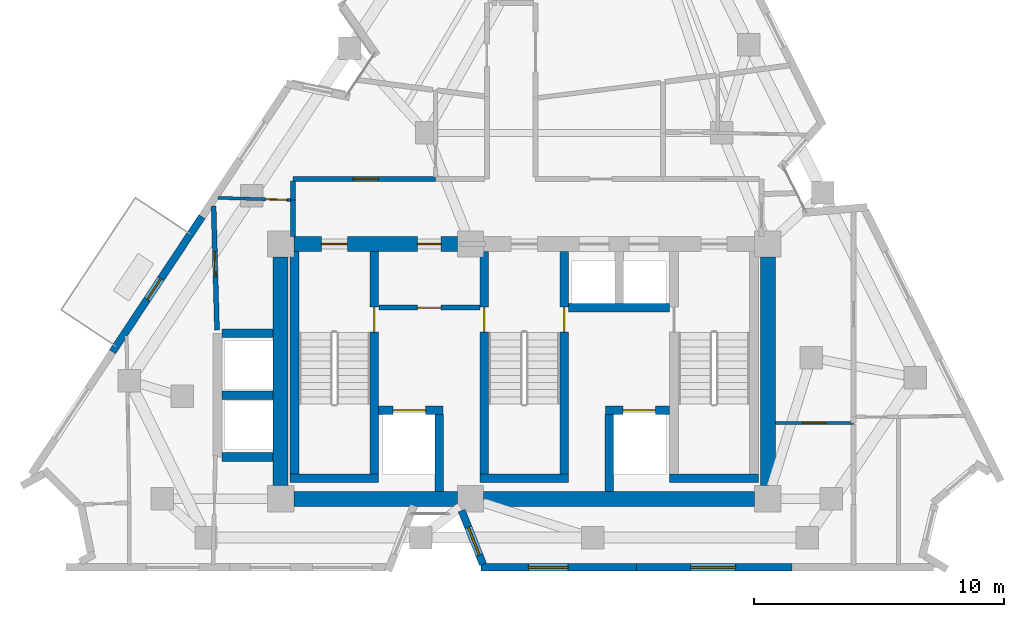
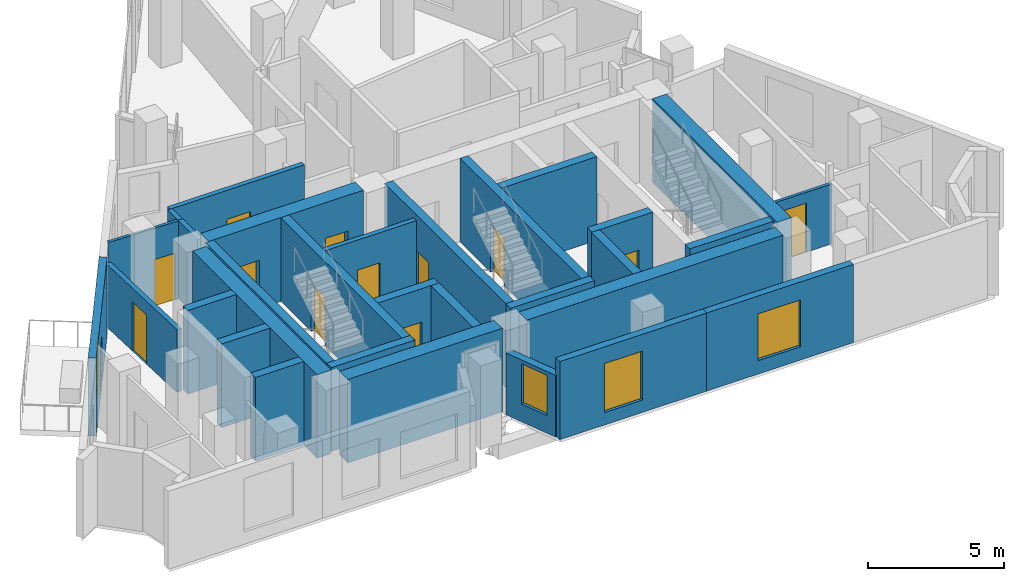
# One storey, part 5 of 10: 31 walls, 13 doors, 3 windows, 16 openings.
"""IFC4 building model written with IfcOpenShell, lengths in metres."""

from ifc_helpers import new_model, si_unit, direction, frame, frame_2d, origin, place, context, subcontext, project, spatial, rectangle, extrude, material, layer, layer_set, type_object, element, fill, save


model = new_model("IFC4")

# Units and contexts
model_context = context("Model", 3, precision=1e-05, world=origin(), true_north=direction((0.0, 1.0)))
body_context = subcontext(model_context, "Body", "Model", "MODEL_VIEW")
ifc_project = project(units=[si_unit("LENGTHUNIT", "METRE"), si_unit("AREAUNIT", "SQUARE_METRE"), si_unit("VOLUMEUNIT", "CUBIC_METRE"), si_unit("PLANEANGLEUNIT", "RADIAN"), si_unit("MASSUNIT", "GRAM", prefix="KILO")], contexts=[model_context])

# Site, building, storey
site_placement = place(None, origin())
site = spatial("IfcSite", under=ifc_project, at=site_placement, CompositionType="ELEMENT")
building_placement = place(site_placement, origin())
building = spatial("IfcBuilding", under=site, at=building_placement, Name="Almagre Mirador Tower", CompositionType="ELEMENT")
storey_placement = place(building_placement, frame((0.0, 0.0, 255.75)))
storey = spatial("IfcBuildingStorey", under=building, at=storey_placement, Name="L66", CompositionType="ELEMENT", Elevation=255.75)

# Wall, opening, window
ifc_material_1 = material(Name="Precast concrete C50/60", Category="concrete")
ifc_layer_1 = layer(ifc_material_1, 0.300048828125)
ifc_layer_set_1 = layer_set([ifc_layer_1], Name="Precast concrete C50/60")
wall_type_1 = type_object("IfcWallType", Name="WAL-EXT-300", PredefinedType="SOLIDWALL", material=ifc_layer_set_1)
wall_1_placement = place(storey_placement, frame((48.01318359375, 1.800048828125, 0.0), z_axis=(0.0, 0.0, 1.0), x_axis=(-1.0, 0.0, 0.0)))
wall_1 = element("IfcWall", 1, at=wall_1_placement, inside=storey, type_object=wall_type_1, Name="L66 expressed almagre precast frame wall 20", PredefinedType="SOLIDWALL", context=body_context, shape_type="SweptSolid", body=[
    extrude(rectangle(XDim=6.2265625, YDim=0.300048828125, at=frame_2d((3.11328125, 0.0))), origin(), (0.0, 0.0, 1.0), 3.5),
])
opening_1_placement = place(wall_1_placement, frame((2.25, 0.0, 0.60009765625)))
opening_1 = element("IfcOpeningElement", 2, at=opening_1_placement, cuts=wall_1, Name="Opening WN-01", PredefinedType="OPENING", context=body_context, shape_type="SweptSolid", body=[
    extrude(rectangle(XDim=1.800048828125, YDim=2.10009765625, at=frame_2d((0.89990234375, 1.050048828125))), frame((0.0, 0.159902, 0.0), z_axis=(0.0, -1.0, 0.0), x_axis=(1.0, 0.0, 0.0)), (0.0, 0.0, 1.0), 0.320049),
])
ifc_material_2 = material(Name="Dark solar-control laminated hurricane glass", Category="glass")
window_type_1 = type_object("IfcWindowType", Name="WIN-1800X2100", PartitioningType="DOUBLE_PANEL_VERTICAL", PredefinedType="WINDOW", material=ifc_material_2)
window_1_placement = place(opening_1_placement, origin())
window_1 = element("IfcWindow", 3, at=window_1_placement, inside=storey, type_object=window_type_1, Name="L66 recessed hurricane window L66-UC-BT", OverallHeight=2.10009765625, OverallWidth=1.800048828125, PartitioningType="SINGLE_PANEL", PredefinedType="WINDOW", context=body_context, shape_type="SweptSolid", body=[
    extrude(rectangle(XDim=1.800048828125, YDim=2.10009765625, at=frame_2d((0.89990234375, 1.050048828125))), frame((0.0, 0.030029296875, 0.0), z_axis=(0.0, -1.0, 0.0), x_axis=(1.0, 0.0, 0.0)), (0.0, 0.0, 1.0), 0.06005859375),
])
fill(opening_1, window_1)

wall_2_placement = place(storey_placement, frame((41.78662109375, 1.800048828125, 0.0), z_axis=(0.0, 0.0, 1.0), x_axis=(-1.0, 0.0, 0.0)))
wall_2 = element("IfcWall", 4, at=wall_2_placement, inside=storey, type_object=wall_type_1, Name="L66 expressed almagre precast frame wall 21", PredefinedType="SOLIDWALL", context=body_context, shape_type="SweptSolid", body=[
    extrude(rectangle(XDim=6.2265625, YDim=0.300048828125, at=frame_2d((3.11328125, 0.0))), origin(), (0.0, 0.0, 1.0), 3.5),
])
opening_2_placement = place(wall_2_placement, frame((2.72509765625, 0.0, 0.550048828125)))
opening_2 = element("IfcOpeningElement", 5, at=opening_2_placement, cuts=wall_2, Name="Opening WN-06", PredefinedType="OPENING", context=body_context, shape_type="SweptSolid", body=[
    extrude(rectangle(XDim=1.60009765625, YDim=2.199951171875, at=frame_2d((0.800048828125, 1.10009765625))), frame((0.0, 0.159902, 0.0), z_axis=(0.0, -1.0, 0.0), x_axis=(1.0, 0.0, 0.0)), (0.0, 0.0, 1.0), 0.320049),
])
ifc_material_3 = material(Name="Dark solar-control laminated hurricane glass", Category="glass")
window_type_2 = type_object("IfcWindowType", Name="WIN-1600X2200", PartitioningType="DOUBLE_PANEL_VERTICAL", PredefinedType="WINDOW", material=ifc_material_3)
window_2_placement = place(opening_2_placement, origin())
window_2 = element("IfcWindow", 6, at=window_2_placement, inside=storey, type_object=window_type_2, Name="L66 recessed hurricane window L66-UB-ST", OverallHeight=2.199951171875, OverallWidth=1.60009765625, PartitioningType="SINGLE_PANEL", PredefinedType="WINDOW", context=body_context, shape_type="SweptSolid", body=[
    extrude(rectangle(XDim=1.60009765625, YDim=2.199951171875, at=frame_2d((0.800048828125, 1.10009765625))), frame((0.0, 0.030029296875, 0.0), z_axis=(0.0, -1.0, 0.0), x_axis=(1.0, 0.0, 0.0)), (0.0, 0.0, 1.0), 0.06005859375),
])
fill(opening_2, window_2)

wall_3_placement = place(storey_placement, frame((35.650146484375, 1.92529296875, 0.0), z_axis=(0.0, 0.0, 1.0), x_axis=(-0.369538433836, 0.929215446448, 0.0)))
wall_3 = element("IfcWall", 7, at=wall_3_placement, inside=storey, type_object=wall_type_1, Name="L66 expressed almagre precast frame wall 22", PredefinedType="SOLIDWALL", context=body_context, shape_type="SweptSolid", body=[
    extrude(rectangle(XDim=2.31884765625, YDim=0.300048828125, at=frame_2d((1.159423828125, 0.0))), origin(), (0.0, 0.0, 1.0), 2.76904296875),
])
opening_3_placement = place(wall_3_placement, frame((0.39990234375, 0.0, 0.800048828125)))
opening_3 = element("IfcOpeningElement", 8, at=opening_3_placement, cuts=wall_3, Name="Opening WN-04", PredefinedType="OPENING", context=body_context, shape_type="SweptSolid", body=[
    extrude(rectangle(XDim=1.199951171875, YDim=1.800048828125, at=frame_2d((0.60009765625, 0.89990234375))), frame((0.0, 0.159902, 0.0), z_axis=(0.0, -1.0, 0.0), x_axis=(1.0, 0.0, 0.0)), (0.0, 0.0, 1.0), 0.320049),
])
ifc_material_4 = material(Name="Dark solar-control laminated hurricane glass", Category="glass")
window_type_3 = type_object("IfcWindowType", Name="WIN-1200X1800", PartitioningType="SINGLE_PANEL", PredefinedType="WINDOW", material=ifc_material_4)
window_3_placement = place(opening_3_placement, origin())
window_3 = element("IfcWindow", 9, at=window_3_placement, inside=storey, type_object=window_type_3, Name="L66 recessed hurricane window L66-UB-ST", OverallHeight=1.800048828125, OverallWidth=1.199951171875, PartitioningType="SINGLE_PANEL", PredefinedType="WINDOW", context=body_context, shape_type="SweptSolid", body=[
    extrude(rectangle(XDim=1.199951171875, YDim=1.800048828125, at=frame_2d((0.60009765625, 0.89990234375))), frame((0.0, 0.030029296875, 0.0), z_axis=(0.0, -1.0, 0.0), x_axis=(1.0, 0.0, 0.0)), (0.0, 0.0, 1.0), 0.06005859375),
])
fill(opening_3, window_3)

# Wall, opening, door
wall_4_placement = place(storey_placement, frame((20.815673828125, 10.431884765625, 0.0), z_axis=(0.0, 0.0, 1.0), x_axis=(0.552120304718, 0.833764456617, 0.0)))
wall_4 = element("IfcWall", 10, at=wall_4_placement, inside=storey, type_object=wall_type_1, Name="L66 expressed almagre precast frame wall 31", PredefinedType="SOLIDWALL", context=body_context, shape_type="SweptSolid", body=[
    extrude(rectangle(XDim=6.49267578125, YDim=0.300048828125, at=frame_2d((3.246337890625, 0.0))), origin(), (0.0, 0.0, 1.0), 3.5),
])
opening_4_placement = place(wall_4_placement, frame((2.5166015625, 0.0, 0.0)))
opening_4 = element("IfcOpeningElement", 11, at=opening_4_placement, cuts=wall_4, Name="Opening BD-01", PredefinedType="OPENING", context=body_context, shape_type="SweptSolid", body=[
    extrude(rectangle(XDim=1.0, YDim=2.199951171875, at=frame_2d((0.5, 1.10009765625))), frame((0.0, 0.159902, 0.0), z_axis=(0.0, -1.0, 0.0), x_axis=(1.0, 0.0, 0.0)), (0.0, 0.0, 1.0), 0.320049),
])
ifc_material_5 = material(Name="Black anodized aluminium and laminated glass", Category="aluminium")
door_type_1 = type_object("IfcDoorType", Name="DOR-BAL-1000X2200", OperationType="NOTDEFINED", PredefinedType="DOOR", material=ifc_material_5)
door_1_placement = place(opening_4_placement, origin())
door_1 = element("IfcDoor", 12, at=door_1_placement, inside=storey, type_object=door_type_1, Name="DR-2011 L66 west balcony glazed door 1", OperationType="SINGLE_SWING_LEFT", OverallHeight=2.199951171875, OverallWidth=1.0, PredefinedType="DOOR", context=body_context, shape_type="SweptSolid", body=[
    extrude(rectangle(XDim=1.0, YDim=2.199951171875, at=frame_2d((0.5, 1.10009765625))), frame((0.0, 0.02490234375, 0.0), z_axis=(0.0, -1.0, 0.0), x_axis=(1.0, 0.0, 0.0)), (0.0, 0.0, 1.0), 0.050048828125),
])
fill(opening_4, door_1)

ifc_material_6 = material(Name="Gypsum acoustic stud partition", Category="other")
ifc_layer_2 = layer(ifc_material_6, 0.125)
ifc_layer_set_2 = layer_set([ifc_layer_2], Name="Gypsum acoustic stud partition")
wall_type_2 = type_object("IfcWallType", Name="WAL-PRT-125-UTL", PredefinedType="PARTITIONING", material=ifc_layer_set_2)
wall_5_placement = place(storey_placement, frame((47.35009765625, 7.580078125, 0.0), z_axis=(0.0, 0.0, 1.0), x_axis=(1.0, 0.0, 0.0)))
wall_5 = element("IfcWall", 13, at=wall_5_placement, inside=storey, type_object=wall_type_2, Name="L66 interior partition 024", PredefinedType="PARTITIONING", context=body_context, shape_type="SweptSolid", body=[
    extrude(rectangle(XDim=3.139892578125, YDim=0.125, at=frame_2d((1.56982421875, 0.0))), origin(), (0.0, 0.0, 1.0), 2.68505859375),
])
opening_5_placement = place(wall_5_placement, frame((1.094970703125, 0.0, 0.0)))
opening_5 = element("IfcOpeningElement", 14, at=opening_5_placement, cuts=wall_5, Name="Opening UD-01", PredefinedType="OPENING", context=body_context, shape_type="SweptSolid", body=[
    extrude(rectangle(XDim=0.949951171875, YDim=2.199951171875, at=frame_2d((0.47509765625, 1.10009765625))), frame((0.0, 0.0725, 0.0), z_axis=(0.0, -1.0, 0.0), x_axis=(1.0, 0.0, 0.0)), (0.0, 0.0, 1.0), 0.145),
])
ifc_material_7 = material(Name="Solid American walnut timber", Category="wood")
door_type_2 = type_object("IfcDoorType", Name="DOR-UNR-950X2200", OperationType="NOTDEFINED", PredefinedType="DOOR", material=ifc_material_7)
door_2_placement = place(opening_5_placement, origin())
door_2 = element("IfcDoor", 15, at=door_2_placement, inside=storey, type_object=door_type_2, Name="DR-2025 L66 interior door L66-UC-ST to L66-UC-KT", OperationType="SINGLE_SWING_LEFT", OverallHeight=2.199951171875, OverallWidth=0.949951171875, PredefinedType="DOOR", context=body_context, shape_type="SweptSolid", body=[
    extrude(rectangle(XDim=0.949951171875, YDim=2.199951171875, at=frame_2d((0.47509765625, 1.10009765625))), frame((0.0, 0.02490234375, 0.0), z_axis=(0.0, -1.0, 0.0), x_axis=(1.0, 0.0, 0.0)), (0.0, 0.0, 1.0), 0.050048828125),
])
fill(opening_5, door_2)

wall_6_placement = place(storey_placement, frame((25.033935546875, 16.597900390625, 0.0), z_axis=(0.0, 0.0, 1.0), x_axis=(0.999570484561, -0.029306081173, 0.0)))
wall_6 = element("IfcWall", 16, at=wall_6_placement, inside=storey, type_object=wall_type_2, Name="L66 interior partition 033", PredefinedType="PARTITIONING", context=body_context, shape_type="SweptSolid", body=[
    extrude(rectangle(XDim=2.932373046875, YDim=0.125, at=frame_2d((1.46630859375, 0.0))), origin(), (0.0, 0.0, 1.0), 3.5),
])
opening_6_placement = place(wall_6_placement, frame((1.912841796875, 0.0, 0.0)))
opening_6 = element("IfcOpeningElement", 17, at=opening_6_placement, cuts=wall_6, Name="Opening UD-04", PredefinedType="OPENING", context=body_context, shape_type="SweptSolid", body=[
    extrude(rectangle(XDim=0.85009765625, YDim=2.10009765625, at=frame_2d((0.425048828125, 1.050048828125))), frame((0.0, 0.0725, 0.0), z_axis=(0.0, -1.0, 0.0), x_axis=(1.0, 0.0, 0.0)), (0.0, 0.0, 1.0), 0.145),
])
ifc_material_8 = material(Name="Moisture-resistant oak timber", Category="wood")
door_type_3 = type_object("IfcDoorType", Name="DOR-UNR-850X2100", OperationType="NOTDEFINED", PredefinedType="DOOR", material=ifc_material_8)
door_3_placement = place(opening_6_placement, origin())
door_3 = element("IfcDoor", 18, at=door_3_placement, inside=storey, type_object=door_type_3, Name="DR-2029 L66 interior door L66-UE-ST to L66-UE-KT", OperationType="SINGLE_SWING_RIGHT", OverallHeight=2.10009765625, OverallWidth=0.85009765625, PredefinedType="DOOR", context=body_context, shape_type="SweptSolid", body=[
    extrude(rectangle(XDim=0.85009765625, YDim=2.10009765625, at=frame_2d((0.425048828125, 1.050048828125))), frame((0.0, 0.02490234375, 0.0), z_axis=(0.0, -1.0, 0.0), x_axis=(1.0, 0.0, 0.0)), (0.0, 0.0, 1.0), 0.050048828125),
])
fill(opening_6, door_3)

ifc_material_9 = material(Name="Gypsum acoustic stud partition", Category="other")
ifc_layer_3 = layer(ifc_material_9, 0.199951171875)
ifc_layer_set_3 = layer_set([ifc_layer_3], Name="Gypsum acoustic stud partition")
wall_type_3 = type_object("IfcWallType", Name="WAL-PRT-200-EI60", PredefinedType="PARTITIONING", material=ifc_layer_set_3)
wall_7_placement = place(storey_placement, frame((31.47998046875, 12.199951171875, 0.0), z_axis=(0.0, 0.0, 1.0), x_axis=(1.0, 0.0, 0.0)))
wall_7 = element("IfcWall", 19, at=wall_7_placement, inside=storey, type_object=wall_type_3, Name="L66 FFL-1 north enclosure wall", PredefinedType="PARTITIONING", context=body_context, shape_type="SweptSolid", body=[
    extrude(rectangle(XDim=4.0400390625, YDim=0.199951171875, at=frame_2d((2.02001953125, 0.0))), origin(), (0.0, 0.0, 1.0), 3.5),
])
opening_7_placement = place(wall_7_placement, frame((1.544921875, 0.0, 0.0)))
opening_7 = element("IfcOpeningElement", 20, at=opening_7_placement, cuts=wall_7, Name="Opening ID-02", PredefinedType="OPENING", context=body_context, shape_type="SweptSolid", body=[
    extrude(rectangle(XDim=0.949951171875, YDim=2.14990234375, at=frame_2d((0.47509765625, 1.074951171875))), frame((0.0, 0.110098, 0.0), z_axis=(0.0, -1.0, 0.0), x_axis=(1.0, 0.0, 0.0)), (0.0, 0.0, 1.0), 0.219951),
])
ifc_material_10 = material(Name="Fire-rated walnut timber", Category="wood")
door_type_4 = type_object("IfcDoorType", Name="DOR-FD60-950X2150", OperationType="NOTDEFINED", PredefinedType="DOOR", material=ifc_material_10)
door_4_placement = place(opening_7_placement, origin())
door_4 = element("IfcDoor", 21, at=door_4_placement, inside=storey, type_object=door_type_4, Name="DR-2013 L66 FFL-1 north smoke door", OperationType="SINGLE_SWING_LEFT", OverallHeight=2.14990234375, OverallWidth=0.949951171875, PredefinedType="DOOR", context=body_context, shape_type="SweptSolid", body=[
    extrude(rectangle(XDim=0.949951171875, YDim=2.14990234375, at=frame_2d((0.47509765625, 1.074951171875))), frame((0.0, 0.02490234375, 0.0), z_axis=(0.0, -1.0, 0.0), x_axis=(1.0, 0.0, 0.0)), (0.0, 0.0, 1.0), 0.050048828125),
])
fill(opening_7, door_4)

wall_8_placement = place(storey_placement, frame((33.75, 17.35009765625, 0.0), z_axis=(0.0, 0.0, 1.0), x_axis=(-1.0, 0.0, 0.0)))
wall_8 = element("IfcWall", 22, at=wall_8_placement, inside=storey, type_object=wall_type_3, Name="L66 interior partition 002", PredefinedType="PARTITIONING", context=body_context, shape_type="SweptSolid", body=[
    extrude(rectangle(XDim=5.699951171875, YDim=0.199951171875, at=frame_2d((2.85009765625, 0.0))), origin(), (0.0, 0.0, 1.0), 3.5),
])
opening_8_placement = place(wall_8_placement, frame((2.290283203125, 0.0, 0.0)))
opening_8 = element("IfcOpeningElement", 23, at=opening_8_placement, cuts=wall_8, Name="Opening ID-01", PredefinedType="OPENING", context=body_context, shape_type="SweptSolid", body=[
    extrude(rectangle(XDim=1.0, YDim=2.199951171875, at=frame_2d((0.5, 1.10009765625))), frame((0.0, 0.110098, 0.0), z_axis=(0.0, -1.0, 0.0), x_axis=(1.0, 0.0, 0.0)), (0.0, 0.0, 1.0), 0.219951),
])
ifc_material_11 = material(Name="Fire-rated walnut timber", Category="wood")
door_type_5 = type_object("IfcDoorType", Name="DOR-FD60-1000X2200", OperationType="NOTDEFINED", PredefinedType="DOOR", material=ifc_material_11)
door_5_placement = place(opening_8_placement, origin())
door_5 = element("IfcDoor", 24, at=door_5_placement, inside=storey, type_object=door_type_5, Name="DR-2028 L66 interior door L66-RCOR to L66-UE-ST", OperationType="SINGLE_SWING_RIGHT", OverallHeight=2.199951171875, OverallWidth=1.0, PredefinedType="DOOR", context=body_context, shape_type="SweptSolid", body=[
    extrude(rectangle(XDim=1.0, YDim=2.199951171875, at=frame_2d((0.5, 1.10009765625))), frame((0.0, 0.02490234375, 0.0), z_axis=(0.0, -1.0, 0.0), x_axis=(1.0, 0.0, 0.0)), (0.0, 0.0, 1.0), 0.050048828125),
])
fill(opening_8, door_5)

# Walls
wall_9_placement = place(storey_placement, frame((28.050048828125, 17.264892578125, 0.0), z_axis=(0.0, 0.0, 1.0), x_axis=(0.0, -1.0, 0.0)))
element("IfcWall", 25, at=wall_9_placement, inside=storey, type_object=wall_type_3, Name="L66 interior partition 003", PredefinedType="PARTITIONING", context=body_context, shape_type="SweptSolid", body=[
    extrude(rectangle(XDim=0.7548828125, YDim=0.199951171875, at=frame_2d((0.37744140625, 0.0))), origin(), (0.0, 0.0, 1.0), 3.5),
])
wall_10_placement = place(storey_placement, frame((28.050048828125, 16.510009765625, 0.0), z_axis=(0.0, 0.0, 1.0), x_axis=(0.0, -1.0, 0.0)))
element("IfcWall", 26, at=wall_10_placement, inside=storey, type_object=wall_type_3, Name="L66 interior partition 004", PredefinedType="PARTITIONING", context=body_context, shape_type="SweptSolid", body=[
    extrude(rectangle(XDim=1.4599609375, YDim=0.199951171875, at=frame_2d((0.72998046875, 0.0))), origin(), (0.0, 0.0, 1.0), 3.5),
])

# Wall, opening, door
wall_11_placement = place(storey_placement, frame((25.0, 11.300048828125, 0.0), z_axis=(0.0, 0.0, 1.0), x_axis=(-0.027188450233, 0.999630325757, 0.0)))
wall_11 = element("IfcWall", 27, at=wall_11_placement, inside=storey, type_object=wall_type_3, Name="L66 interior partition 019", PredefinedType="PARTITIONING", context=body_context, shape_type="SweptSolid", body=[
    extrude(rectangle(XDim=4.9658203125, YDim=0.199951171875, at=frame_2d((2.48291015625, 0.0))), origin(), (0.0, 0.0, 1.0), 2.820068359375),
])
opening_9_placement = place(wall_11_placement, frame((2.14208984375, 0.0, 0.0)))
opening_9 = element("IfcOpeningElement", 28, at=opening_9_placement, cuts=wall_11, Name="Opening ID-01", PredefinedType="OPENING", context=body_context, shape_type="SweptSolid", body=[
    extrude(rectangle(XDim=1.0, YDim=2.199951171875, at=frame_2d((0.5, 1.10009765625))), frame((0.0, 0.110098, 0.0), z_axis=(0.0, -1.0, 0.0), x_axis=(1.0, 0.0, 0.0)), (0.0, 0.0, 1.0), 0.219951),
])
door_6_placement = place(opening_9_placement, origin())
door_6 = element("IfcDoor", 29, at=door_6_placement, inside=storey, type_object=door_type_5, Name="DR-2034 L66 interior door L66-UA-ST to L66-UE-KT", OperationType="SINGLE_SWING_LEFT", OverallHeight=2.199951171875, OverallWidth=1.0, PredefinedType="DOOR", context=body_context, shape_type="SweptSolid", body=[
    extrude(rectangle(XDim=1.0, YDim=2.199951171875, at=frame_2d((0.5, 1.10009765625))), frame((0.0, 0.02490234375, 0.0), z_axis=(0.0, -1.0, 0.0), x_axis=(1.0, 0.0, 0.0)), (0.0, 0.0, 1.0), 0.050048828125),
])
fill(opening_9, door_6)

# Wall
ifc_material_12 = material(Name="Concrete C60/75", Category="concrete")
ifc_layer_4 = layer(ifc_material_12, 0.35009765625)
ifc_layer_set_4 = layer_set([ifc_layer_4], Name="Concrete C60/75")
wall_type_4 = type_object("IfcWallType", Name="WAL-SHF-350", PredefinedType="SOLIDWALL", material=ifc_layer_set_4)
wall_12_placement = place(storey_placement, frame((28.10009765625, 5.199951171875, 0.0), z_axis=(0.0, 0.0, 1.0), x_axis=(0.0, 1.0, 0.0)))
element("IfcWall", 30, at=wall_12_placement, inside=storey, type_object=wall_type_4, Name="L66 shaft wall ST1-W", PredefinedType="SOLIDWALL", context=body_context, shape_type="SweptSolid", body=[
    extrude(rectangle(XDim=9.25, YDim=0.35009765625, at=frame_2d((4.625, 0.0))), origin(), (0.0, 0.0, 1.0), 3.75),
])

# Wall, opening, door
wall_13_placement = place(storey_placement, frame((31.300048828125, 5.199951171875, 0.0), z_axis=(0.0, 0.0, 1.0), x_axis=(0.0, 1.0, 0.0)))
wall_13 = element("IfcWall", 31, at=wall_13_placement, inside=storey, type_object=wall_type_4, Name="L66 shaft wall ST1-E", PredefinedType="SOLIDWALL", context=body_context, shape_type="SweptSolid", body=[
    extrude(rectangle(XDim=9.25, YDim=0.35009765625, at=frame_2d((4.625, 0.0))), origin(), (0.0, 0.0, 1.0), 3.75),
])
opening_10_placement = place(wall_13_placement, frame((6.02001953125, 0.0, 0.0)))
opening_10 = element("IfcOpeningElement", 32, at=opening_10_placement, cuts=wall_13, Name="Opening FD-01", PredefinedType="OPENING", context=body_context, shape_type="SweptSolid", body=[
    extrude(rectangle(XDim=1.0, YDim=2.14990234375, at=frame_2d((0.5, 1.074951171875))), frame((0.0, 0.185049, 0.0), z_axis=(0.0, -1.0, 0.0), x_axis=(1.0, 0.0, 0.0)), (0.0, 0.0, 1.0), 0.370098),
])
ifc_material_13 = material(Name="Fire-rated hollow steel", Category="steel")
door_type_6 = type_object("IfcDoorType", Name="DOR-FFL-1000X2150", OperationType="NOTDEFINED", PredefinedType="DOOR", material=ifc_material_13)
door_7_placement = place(opening_10_placement, origin())
door_7 = element("IfcDoor", 33, at=door_7_placement, inside=storey, type_object=door_type_6, Name="DR-2014 L66 FFL1-ST1 smokeproof door", OperationType="SINGLE_SWING_LEFT", OverallHeight=2.14990234375, OverallWidth=1.0, PredefinedType="DOOR", context=body_context, shape_type="SweptSolid", body=[
    extrude(rectangle(XDim=1.0, YDim=2.14990234375, at=frame_2d((0.5, 1.074951171875))), frame((0.0, 0.02490234375, 0.0), z_axis=(0.0, -1.0, 0.0), x_axis=(1.0, 0.0, 0.0)), (0.0, 0.0, 1.0), 0.050048828125),
])
fill(opening_10, door_7)

# Wall
wall_14_placement = place(storey_placement, frame((27.925048828125, 5.375, 0.0), z_axis=(0.0, 0.0, 1.0), x_axis=(1.0, 0.0, 0.0)))
element("IfcWall", 34, at=wall_14_placement, inside=storey, type_object=wall_type_4, Name="L66 shaft wall ST1-S", PredefinedType="SOLIDWALL", context=body_context, shape_type="SweptSolid", body=[
    extrude(rectangle(XDim=3.550048828125, YDim=0.35009765625, at=frame_2d((1.77490234375, 0.0))), origin(), (0.0, 0.0, 1.0), 3.75),
])

# Wall, opening, door
wall_15_placement = place(storey_placement, frame((35.699951171875, 5.199951171875, 0.0), z_axis=(0.0, 0.0, 1.0), x_axis=(0.0, 1.0, 0.0)))
wall_15 = element("IfcWall", 35, at=wall_15_placement, inside=storey, type_object=wall_type_4, Name="L66 shaft wall ST2-W", PredefinedType="SOLIDWALL", context=body_context, shape_type="SweptSolid", body=[
    extrude(rectangle(XDim=9.25, YDim=0.35009765625, at=frame_2d((4.625, 0.0))), origin(), (0.0, 0.0, 1.0), 3.75),
])
opening_11_placement = place(wall_15_placement, frame((6.02001953125, 0.0, 0.0)))
opening_11 = element("IfcOpeningElement", 36, at=opening_11_placement, cuts=wall_15, Name="Opening FD-01", PredefinedType="OPENING", context=body_context, shape_type="SweptSolid", body=[
    extrude(rectangle(XDim=1.0, YDim=2.14990234375, at=frame_2d((0.5, 1.074951171875))), frame((0.0, 0.185049, 0.0), z_axis=(0.0, -1.0, 0.0), x_axis=(1.0, 0.0, 0.0)), (0.0, 0.0, 1.0), 0.370098),
])
door_8_placement = place(opening_11_placement, origin())
door_8 = element("IfcDoor", 37, at=door_8_placement, inside=storey, type_object=door_type_6, Name="DR-2015 L66 FFL1-ST2 smokeproof door", OperationType="SINGLE_SWING_RIGHT", OverallHeight=2.14990234375, OverallWidth=1.0, PredefinedType="DOOR", context=body_context, shape_type="SweptSolid", body=[
    extrude(rectangle(XDim=1.0, YDim=2.14990234375, at=frame_2d((0.5, 1.074951171875))), frame((0.0, 0.02490234375, 0.0), z_axis=(0.0, -1.0, 0.0), x_axis=(1.0, 0.0, 0.0)), (0.0, 0.0, 1.0), 0.050048828125),
])
fill(opening_11, door_8)

wall_16_placement = place(storey_placement, frame((38.89990234375, 5.199951171875, 0.0), z_axis=(0.0, 0.0, 1.0), x_axis=(0.0, 1.0, 0.0)))
wall_16 = element("IfcWall", 38, at=wall_16_placement, inside=storey, type_object=wall_type_4, Name="L66 shaft wall ST2-E", PredefinedType="SOLIDWALL", context=body_context, shape_type="SweptSolid", body=[
    extrude(rectangle(XDim=9.25, YDim=0.35009765625, at=frame_2d((4.625, 0.0))), origin(), (0.0, 0.0, 1.0), 3.75),
])
opening_12_placement = place(wall_16_placement, frame((6.02001953125, 0.0, 0.0)))
opening_12 = element("IfcOpeningElement", 39, at=opening_12_placement, cuts=wall_16, Name="Opening FD-01", PredefinedType="OPENING", context=body_context, shape_type="SweptSolid", body=[
    extrude(rectangle(XDim=1.0, YDim=2.14990234375, at=frame_2d((0.5, 1.074951171875))), frame((0.0, 0.185049, 0.0), z_axis=(0.0, -1.0, 0.0), x_axis=(1.0, 0.0, 0.0)), (0.0, 0.0, 1.0), 0.370098),
])
door_9_placement = place(opening_12_placement, origin())
door_9 = element("IfcDoor", 40, at=door_9_placement, inside=storey, type_object=door_type_6, Name="DR-2016 L66 FFL2-ST2 smokeproof door", OperationType="SINGLE_SWING_LEFT", OverallHeight=2.14990234375, OverallWidth=1.0, PredefinedType="DOOR", context=body_context, shape_type="SweptSolid", body=[
    extrude(rectangle(XDim=1.0, YDim=2.14990234375, at=frame_2d((0.5, 1.074951171875))), frame((0.0, 0.02490234375, 0.0), z_axis=(0.0, -1.0, 0.0), x_axis=(1.0, 0.0, 0.0)), (0.0, 0.0, 1.0), 0.050048828125),
])
fill(opening_12, door_9)

# Walls
for number, where, z_axis, x_axis, name in (
    (41, (35.52490234375, 5.375, 0.0), (0.0, 0.0, 1.0), (1.0, 0.0, 0.0), "L66 shaft wall ST2-S"),
    (42, (43.125, 5.375, 0.0), (0.0, 0.0, 1.0), (1.0, 0.0, 0.0), "L66 shaft wall ST3-S"),
):
    element("IfcWall", number, at=place(storey_placement, frame(where, z_axis=z_axis, x_axis=x_axis)), inside=storey, type_object=wall_type_4, Name=name, PredefinedType="SOLIDWALL", context=body_context, shape_type="SweptSolid", body=[
        extrude(rectangle(XDim=3.550048828125, YDim=0.35009765625, at=frame_2d((1.77490234375, 0.0))), origin(), (0.0, 0.0, 1.0), 3.75),
    ])

# Wall, opening, door
wall_17_placement = place(storey_placement, frame((31.47509765625, 8.10009765625, 0.0), z_axis=(0.0, 0.0, 1.0), x_axis=(1.0, 0.0, 0.0)))
wall_17 = element("IfcWall", 43, at=wall_17_placement, inside=storey, type_object=wall_type_4, Name="L66 shaft wall FSAE1-N", PredefinedType="SOLIDWALL", context=body_context, shape_type="SweptSolid", body=[
    extrude(rectangle(XDim=2.574951171875, YDim=0.35009765625, at=frame_2d((1.28759765625, 0.0))), origin(), (0.0, 0.0, 1.0), 3.75),
])
opening_13_placement = place(wall_17_placement, frame((0.574951171875, 0.0, 0.0)))
opening_13 = element("IfcOpeningElement", 44, at=opening_13_placement, cuts=wall_17, Name="Opening LD-03", PredefinedType="OPENING", context=body_context, shape_type="SweptSolid", body=[
    extrude(rectangle(XDim=1.300048828125, YDim=2.25, at=frame_2d((0.64990234375, 1.125))), frame((0.0, 0.185049, 0.0), z_axis=(0.0, -1.0, 0.0), x_axis=(1.0, 0.0, 0.0)), (0.0, 0.0, 1.0), 0.370098),
])
ifc_material_14 = material(Name="Hollow stainless steel", Category="steel")
door_type_7 = type_object("IfcDoorType", Name="DOR-LD-1300X2250", OperationType="DOUBLE_DOOR_SLIDING", PredefinedType="DOOR", material=ifc_material_14)
door_10_placement = place(opening_13_placement, origin())
door_10 = element("IfcDoor", 45, at=door_10_placement, inside=storey, type_object=door_type_7, Name="DR-2036 L66 FSAE-1 lift landing door", OperationType="DOUBLE_DOOR_SLIDING", OverallHeight=2.25, OverallWidth=1.300048828125, PredefinedType="DOOR", context=body_context, shape_type="SweptSolid", body=[
    extrude(rectangle(XDim=1.300048828125, YDim=2.25, at=frame_2d((0.64990234375, 1.125))), frame((0.0, 0.02490234375, 0.0), z_axis=(0.0, -1.0, 0.0), x_axis=(1.0, 0.0, 0.0)), (0.0, 0.0, 1.0), 0.050048828125),
])
fill(opening_13, door_10)

wall_18_placement = place(storey_placement, frame((40.550048828125, 8.10009765625, 0.0), z_axis=(0.0, 0.0, 1.0), x_axis=(1.0, 0.0, 0.0)))
wall_18 = element("IfcWall", 46, at=wall_18_placement, inside=storey, type_object=wall_type_4, Name="L66 shaft wall FSAE2-N", PredefinedType="SOLIDWALL", context=body_context, shape_type="SweptSolid", body=[
    extrude(rectangle(XDim=2.574951171875, YDim=0.35009765625, at=frame_2d((1.28759765625, 0.0))), origin(), (0.0, 0.0, 1.0), 3.75),
])
opening_14_placement = place(wall_18_placement, frame((0.699951171875, 0.0, 0.0)))
opening_14 = element("IfcOpeningElement", 47, at=opening_14_placement, cuts=wall_18, Name="Opening LD-03", PredefinedType="OPENING", context=body_context, shape_type="SweptSolid", body=[
    extrude(rectangle(XDim=1.300048828125, YDim=2.25, at=frame_2d((0.64990234375, 1.125))), frame((0.0, 0.185049, 0.0), z_axis=(0.0, -1.0, 0.0), x_axis=(1.0, 0.0, 0.0)), (0.0, 0.0, 1.0), 0.370098),
])
door_11_placement = place(opening_14_placement, origin())
door_11 = element("IfcDoor", 48, at=door_11_placement, inside=storey, type_object=door_type_7, Name="DR-2037 L66 FSAE-2 lift landing door", OperationType="DOUBLE_DOOR_SLIDING", OverallHeight=2.25, OverallWidth=1.300048828125, PredefinedType="DOOR", context=body_context, shape_type="SweptSolid", body=[
    extrude(rectangle(XDim=1.300048828125, YDim=2.25, at=frame_2d((0.64990234375, 1.125))), frame((0.0, 0.02490234375, 0.0), z_axis=(0.0, -1.0, 0.0), x_axis=(1.0, 0.0, 0.0)), (0.0, 0.0, 1.0), 0.050048828125),
])
fill(opening_14, door_11)

# Walls
for number, where, z_axis, x_axis, name in (
    (49, (33.89990234375, 4.85009765625, 0.0), (0.0, 0.0, 1.0), (0.0, 1.0, 0.0), "L66 shaft wall FSAE1-E"),
    (50, (40.699951171875, 4.85009765625, 0.0), (0.0, 0.0, 1.0), (0.0, 1.0, 0.0), "L66 shaft wall FSAE2-W"),
):
    element("IfcWall", number, at=place(storey_placement, frame(where, z_axis=z_axis, x_axis=x_axis)), inside=storey, type_object=wall_type_4, Name=name, PredefinedType="SOLIDWALL", context=body_context, shape_type="SweptSolid", body=[
        extrude(rectangle(XDim=3.074951171875, YDim=0.35009765625, at=frame_2d((1.53759765625, 0.0))), origin(), (0.0, 0.0, 1.0), 3.75),
    ])
wall_19_placement = place(storey_placement, frame((39.074951171875, 12.199951171875, 0.0), z_axis=(0.0, 0.0, 1.0), x_axis=(1.0, 0.0, 0.0)))
element("IfcWall", 51, at=wall_19_placement, inside=storey, type_object=wall_type_4, Name="L66 shaft wall PLH-S", PredefinedType="SOLIDWALL", context=body_context, shape_type="SweptSolid", body=[
    extrude(rectangle(XDim=4.050048828125, YDim=0.35009765625, at=frame_2d((2.02490234375, 0.0))), origin(), (0.0, 0.0, 1.0), 3.75),
])
for number, where, z_axis, x_axis, name in (
    (52, (25.199951171875, 6.22509765625, 0.0), (0.0, 0.0, 1.0), (1.0, 0.0, 0.0), "L66 shaft wall OL-S"),
    (53, (25.199951171875, 8.699951171875, 0.0), (0.0, 0.0, 1.0), (1.0, 0.0, 0.0), "L66 shaft wall OL-M"),
    (54, (25.199951171875, 11.175048828125, 0.0), (0.0, 0.0, 1.0), (1.0, 0.0, 0.0), "L66 shaft wall OL-N"),
):
    element("IfcWall", number, at=place(storey_placement, frame(where, z_axis=z_axis, x_axis=x_axis)), inside=storey, type_object=wall_type_4, Name=name, PredefinedType="SOLIDWALL", context=body_context, shape_type="SweptSolid", body=[
        extrude(rectangle(XDim=2.050048828125, YDim=0.35009765625, at=frame_2d((1.02490234375, 0.0))), origin(), (0.0, 0.0, 1.0), 3.75),
    ])
ifc_material_15 = material(Name="Concrete C60/75", Category="concrete")
ifc_layer_5 = layer(ifc_material_15, 0.60009765625)
ifc_layer_set_5 = layer_set([ifc_layer_5], Name="Concrete C60/75")
wall_type_5 = type_object("IfcWallType", Name="WAL-SHR-600", PredefinedType="SHEAR", material=ifc_layer_set_5)
wall_20_placement = place(storey_placement, frame((28.074951171875, 4.550048828125, 0.0), z_axis=(0.0, 0.0, 1.0), x_axis=(1.0, 0.0, 0.0)))
element("IfcWall", 55, at=wall_20_placement, inside=storey, type_object=wall_type_5, Name="L66 core shear wall S1", PredefinedType="SHEAR", context=body_context, shape_type="SweptSolid", body=[
    extrude(rectangle(XDim=6.550048828125, YDim=0.60009765625, at=frame_2d((3.27490234375, 0.0))), origin(), (0.0, 0.0, 1.0), 3.75),
])
wall_21_placement = place(storey_placement, frame((35.675048828125, 4.550048828125, 0.0), z_axis=(0.0, 0.0, 1.0), x_axis=(1.0, 0.0, 0.0)))
element("IfcWall", 56, at=wall_21_placement, inside=storey, type_object=wall_type_5, Name="L66 core shear wall S2", PredefinedType="SHEAR", context=body_context, shape_type="SweptSolid", body=[
    extrude(rectangle(XDim=10.849853515625, YDim=0.60009765625, at=frame_2d((5.4248046875, 0.0))), origin(), (0.0, 0.0, 1.0), 3.75),
])

# Wall, openings, doors
wall_22_placement = place(storey_placement, frame((28.074951171875, 14.75, 0.0), z_axis=(0.0, 0.0, 1.0), x_axis=(1.0, 0.0, 0.0)))
wall_22 = element("IfcWall", 57, at=wall_22_placement, inside=storey, type_object=wall_type_5, Name="L66 core shear wall N1", PredefinedType="SHEAR", context=body_context, shape_type="SweptSolid", body=[
    extrude(rectangle(XDim=6.550048828125, YDim=0.60009765625, at=frame_2d((3.27490234375, 0.0))), origin(), (0.0, 0.0, 1.0), 3.75),
])
opening_15_placement = place(wall_22_placement, frame((1.10009765625, 0.0, 0.0)))
opening_15 = element("IfcOpeningElement", 58, at=opening_15_placement, cuts=wall_22, Name="Opening SD-01", PredefinedType="OPENING", context=body_context, shape_type="SweptSolid", body=[
    extrude(rectangle(XDim=1.050048828125, YDim=2.14990234375, at=frame_2d((0.52490234375, 1.074951171875))), frame((0.0, 0.310049, 0.0), z_axis=(0.0, -1.0, 0.0), x_axis=(1.0, 0.0, 0.0)), (0.0, 0.0, 1.0), 0.620098),
])
opening_16_placement = place(wall_22_placement, frame((4.949951171875, 0.0, 0.0)))
opening_16 = element("IfcOpeningElement", 59, at=opening_16_placement, cuts=wall_22, Name="Opening FD-02", PredefinedType="OPENING", context=body_context, shape_type="SweptSolid", body=[
    extrude(rectangle(XDim=0.949951171875, YDim=2.14990234375, at=frame_2d((0.47509765625, 1.074951171875))), frame((0.0, 0.310049, 0.0), z_axis=(0.0, -1.0, 0.0), x_axis=(1.0, 0.0, 0.0)), (0.0, 0.0, 1.0), 0.620098),
])
ifc_material_16 = material(Name="Fire-rated hollow steel", Category="steel")
door_type_8 = type_object("IfcDoorType", Name="DOR-FD90-950X2150", OperationType="NOTDEFINED", PredefinedType="DOOR", material=ifc_material_16)
door_12_placement = place(opening_16_placement, origin())
door_12 = element("IfcDoor", 60, at=door_12_placement, inside=storey, type_object=door_type_8, Name="DR-2012 L66 core equipment room north door", OperationType="SINGLE_SWING_LEFT", OverallHeight=2.14990234375, OverallWidth=0.949951171875, PredefinedType="DOOR", context=body_context, shape_type="SweptSolid", body=[
    extrude(rectangle(XDim=0.949951171875, YDim=2.14990234375, at=frame_2d((0.47509765625, 1.074951171875))), frame((0.0, 0.02490234375, 0.0), z_axis=(0.0, -1.0, 0.0), x_axis=(1.0, 0.0, 0.0)), (0.0, 0.0, 1.0), 0.050048828125),
])
fill(opening_16, door_12)
ifc_material_17 = material(Name="Fire-rated hollow steel", Category="steel")
door_type_9 = type_object("IfcDoorType", Name="DOR-ST-1050X2150", OperationType="NOTDEFINED", PredefinedType="DOOR", material=ifc_material_17)
door_13_placement = place(opening_15_placement, origin())
door_13 = element("IfcDoor", 61, at=door_13_placement, inside=storey, type_object=door_type_9, Name="DR-2040 L66 protected exit stair ST-1 door", OperationType="SINGLE_SWING_RIGHT", OverallHeight=2.14990234375, OverallWidth=1.050048828125, PredefinedType="DOOR", context=body_context, shape_type="SweptSolid", body=[
    extrude(rectangle(XDim=1.050048828125, YDim=2.14990234375, at=frame_2d((0.52490234375, 1.074951171875))), frame((0.0, 0.02490234375, 0.0), z_axis=(0.0, -1.0, 0.0), x_axis=(1.0, 0.0, 0.0)), (0.0, 0.0, 1.0), 0.050048828125),
])
fill(opening_15, door_13)

# Walls
for number, where, z_axis, x_axis, name in (
    (62, (27.550048828125, 5.074951171875, 0.0), (0.0, 0.0, 1.0), (0.0, 1.0, 0.0), "L66 core shear wall W1"),
    (63, (47.050048828125, 5.074951171875, 0.0), (0.0, 0.0, 1.0), (0.0, 1.0, 0.0), "L66 core shear wall E1"),
):
    element("IfcWall", number, at=place(storey_placement, frame(where, z_axis=z_axis, x_axis=x_axis)), inside=storey, type_object=wall_type_5, Name=name, PredefinedType="SHEAR", context=body_context, shape_type="SweptSolid", body=[
        extrude(rectangle(XDim=9.150146484375, YDim=0.60009765625, at=frame_2d((4.5751953125, 0.0))), origin(), (0.0, 0.0, 1.0), 3.75),
    ])

save(model, "model.ifc")
